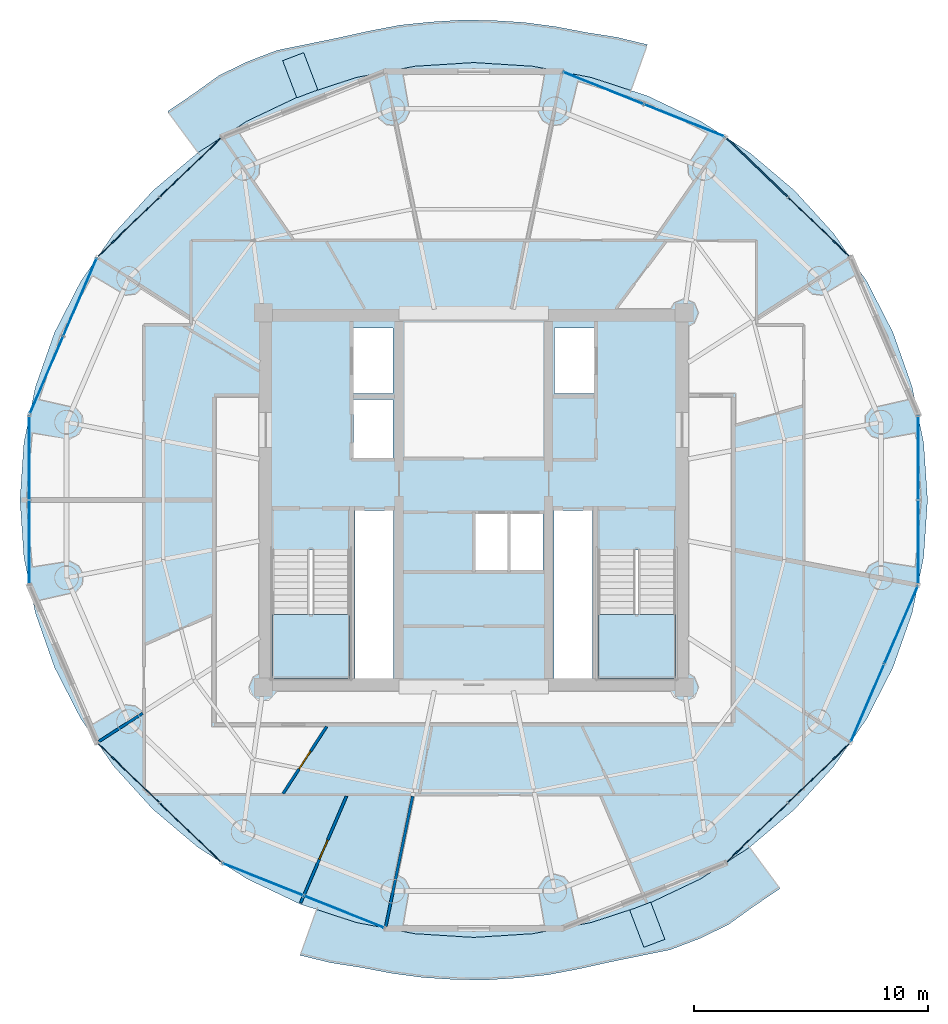
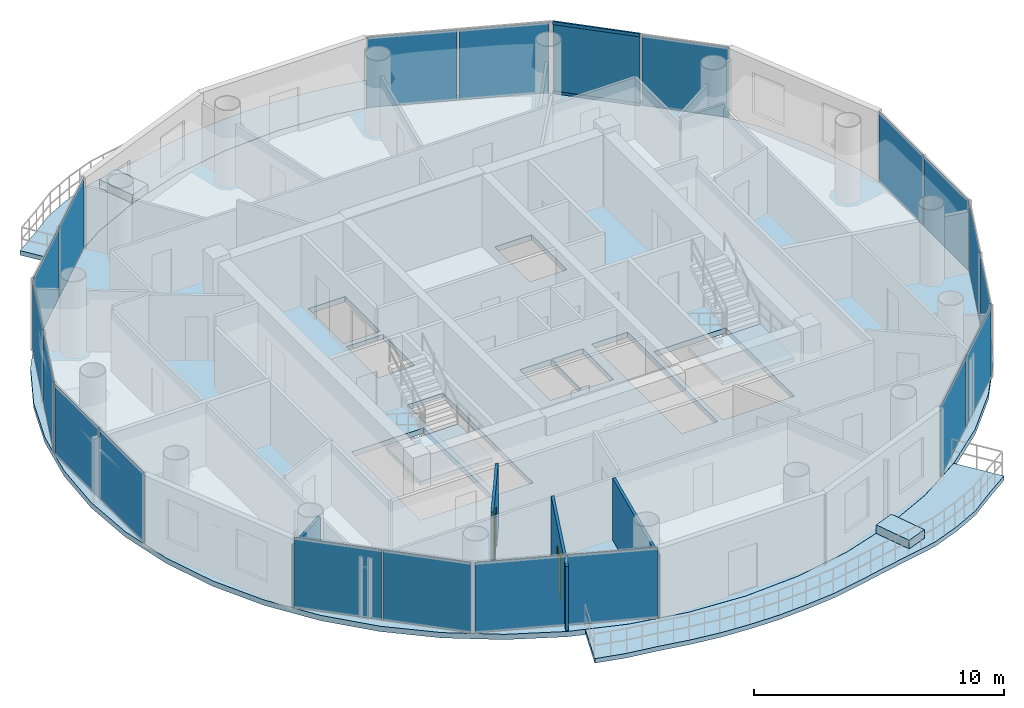
# One storey, part 16 of 24: 20 plates, 7 slabs, 4 walls, 2 doors, 2 members, 2 openings, 12 elements without a shape of their own.
"""IFC4 building model written with IfcOpenShell, lengths in metres."""

import ifcopenshell
import ifcopenshell.guid

model = None  # the IFC model being written
_history = None  # IfcOwnerHistory: only IFC2X3 demands one
_inside = {}  # id of a spatial element -> (the spatial element, [elements in it])
_under = {}  # id of a project, library or spatial element -> (it, [spatial elements below it])
_declared = {}  # id of a project -> (the project, [libraries it declares])
_typed = {}  # id of a type object -> (the type object, [elements of that type])
_made_of = {}  # id of a material, layer set ... -> (it, [elements and type objects made of it])


def new_model(schema):
    """Start an empty IFC model of exactly this schema.

    Asked for "IFC4X3", IfcOpenShell would pick the latest addendum, in which some entities
    have other attributes; the version numbers below select the first issue.
    IFC2X3 requires an IfcOwnerHistory on every rooted entity: one is made here for all.
    """
    global model, _history
    if schema == "IFC4X3":
        model = ifcopenshell.file(schema_version=(4, 3, 0, 0))
    else:
        model = ifcopenshell.file(schema=schema)
    _inside.clear()
    _under.clear()
    _declared.clear()
    _typed.clear()
    _made_of.clear()
    _history = None
    if model.schema == "IFC2X3":
        org = make("IfcOrganization", Name="unknown")
        user = make(
            "IfcPersonAndOrganization",
            ThePerson=make("IfcPerson", FamilyName="unknown"),
            TheOrganization=org,
        )
        app = make(
            "IfcApplication",
            ApplicationDeveloper=org,
            Version="unknown",
            ApplicationFullName="unknown",
            ApplicationIdentifier="unknown",
        )
        _history = make(
            "IfcOwnerHistory",
            OwningUser=user,
            OwningApplication=app,
            ChangeAction="ADDED",
            CreationDate=0,
        )
    return model


def make(cls, **values):
    """One entity of the class cls with the attributes given. An attribute that is None is left unset."""
    return model.create_entity(
        cls, **{name: value for name, value in values.items() if value is not None}
    )


def rooted(cls, **values):
    """An entity with a GlobalId (a new one), such as an element, a storey or a relation."""
    return make(cls, GlobalId=ifcopenshell.guid.new(), OwnerHistory=_history, **values)


def si_unit(unit_type, name, prefix=None):
    """IfcSIUnit, for example si_unit("LENGTHUNIT", "METRE", prefix="MILLI")."""
    return make("IfcSIUnit", UnitType=unit_type, Prefix=prefix, Name=name)


def assignment(units):
    """IfcUnitAssignment: the units of a project."""
    return None if units is None else make("IfcUnitAssignment", Units=units)


def point(xyz):
    """IfcCartesianPoint."""
    return None if xyz is None else make("IfcCartesianPoint", Coordinates=xyz)


def direction(xyz):
    """IfcDirection."""
    return None if xyz is None else make("IfcDirection", DirectionRatios=xyz)


def frame(location, z_axis=None, x_axis=None):
    """IfcAxis2Placement3D, a coordinate frame: its origin and axes. An axis left out is left unset."""
    return make(
        "IfcAxis2Placement3D",
        Location=point(location),
        Axis=direction(z_axis),
        RefDirection=direction(x_axis),
    )


def frame_2d(location, x_axis=None):
    """IfcAxis2Placement2D, a coordinate frame in the plane: its origin and x axis."""
    return make(
        "IfcAxis2Placement2D", Location=point(location), RefDirection=direction(x_axis)
    )


def origin():
    """The frame at (0, 0, 0) with its axes left unset."""
    return frame((0.0, 0.0, 0.0))


def origin_2d():
    """The frame at (0, 0) in the plane with its x axis left unset."""
    return frame_2d((0.0, 0.0))


def place(relative_to, where):
    """IfcLocalPlacement: puts the frame where relative to a parent placement (None: the world)."""
    return make(
        "IfcLocalPlacement", PlacementRelTo=relative_to, RelativePlacement=where
    )


def context(
    kind, dimensions, precision=None, world=None, true_north=None, identifier=None
):
    """IfcGeometricRepresentationContext, for example the 3D "Model" context."""
    return make(
        "IfcGeometricRepresentationContext",
        ContextIdentifier=identifier,
        ContextType=kind,
        CoordinateSpaceDimension=dimensions,
        Precision=precision,
        WorldCoordinateSystem=world,
        TrueNorth=true_north,
    )


def subcontext(parent, identifier, kind, view, scale=None):
    """IfcGeometricRepresentationSubContext, for example "Body" below "Model"."""
    return make(
        "IfcGeometricRepresentationSubContext",
        ContextIdentifier=identifier,
        ContextType=kind,
        ParentContext=parent,
        TargetScale=scale,
        TargetView=view,
    )


def project(units=None, contexts=None):
    """IfcProject with its units and contexts."""
    return rooted(
        "IfcProject",
        Name="project",
        RepresentationContexts=contexts,
        UnitsInContext=assignment(units),
    )


def spatial(cls, under=None, at=None, **own):
    """A site, building, storey or space (cls), placed at a placement, below another one or the project."""
    s = rooted(cls, ObjectPlacement=at, **own)
    if under is not None:
        _under.setdefault(under.id(), (under, []))[1].append(s)
    return s


def polyline(points):
    """IfcPolyline through the points."""
    return make("IfcPolyline", Points=[point(p) for p in points])


def profile(cls, at=None, kind="AREA", **sizes):
    """A parametric profile (cls). Its sizes go by their IFC names, for example OverallWidth=200.0."""
    return make(cls, ProfileType=kind, Position=at, **sizes)


def rectangle(**sizes):
    """IfcRectangleProfileDef."""
    return profile("IfcRectangleProfileDef", **sizes)


def hollow_rectangle(**sizes):
    """IfcRectangleHollowProfileDef."""
    return profile("IfcRectangleHollowProfileDef", **sizes)


def outline(outer, holes=None, kind="AREA"):
    """IfcArbitraryClosedProfileDef: a profile drawn as a closed curve; with holes, ...WithVoids."""
    if holes is None:
        return make("IfcArbitraryClosedProfileDef", ProfileType=kind, OuterCurve=outer)
    return make(
        "IfcArbitraryProfileDefWithVoids",
        ProfileType=kind,
        OuterCurve=outer,
        InnerCurves=holes,
    )


def extrude(swept, where, along, depth):
    """IfcExtrudedAreaSolid: the profile swept, set in the frame where, extruded along a direction by depth."""
    return make(
        "IfcExtrudedAreaSolid",
        SweptArea=swept,
        Position=where,
        ExtrudedDirection=direction(along),
        Depth=depth,
    )


def shape(context_of_items, identifier, shape_type, items):
    """IfcShapeRepresentation: the items that make up one representation, for example the "Body"."""
    return make(
        "IfcShapeRepresentation",
        ContextOfItems=context_of_items,
        RepresentationIdentifier=identifier,
        RepresentationType=shape_type,
        Items=items,
    )


def source(mapping_origin, context_of_items, identifier, shape_type, items):
    """IfcRepresentationMap: a shape defined once, which mapped items show again and again."""
    return make(
        "IfcRepresentationMap",
        MappingOrigin=mapping_origin,
        MappedRepresentation=shape(context_of_items, identifier, shape_type, items),
    )


def transform(
    local_origin,
    x_axis=None,
    y_axis=None,
    z_axis=None,
    scale=None,
    scale2=None,
    scale3=None,
    uniform=True,
):
    """IfcCartesianTransformationOperator3D, or its non-uniform kind. x_axis, y_axis, z_axis: its Axis1, 2, 3."""
    if uniform:
        return make(
            "IfcCartesianTransformationOperator3D",
            Axis1=direction(x_axis),
            Axis2=direction(y_axis),
            LocalOrigin=point(local_origin),
            Scale=scale,
            Axis3=direction(z_axis),
        )
    return make(
        "IfcCartesianTransformationOperator3DnonUniform",
        Axis1=direction(x_axis),
        Axis2=direction(y_axis),
        LocalOrigin=point(local_origin),
        Scale=scale,
        Axis3=direction(z_axis),
        Scale2=scale2,
        Scale3=scale3,
    )


def mapped(mapping_source, mapping_target):
    """IfcMappedItem: shows the shape of a source again, moved by a transform."""
    return make(
        "IfcMappedItem", MappingSource=mapping_source, MappingTarget=mapping_target
    )


def material(Name=None, Category=None):
    """IfcMaterial."""
    return make("IfcMaterial", Name=Name, Category=Category)


def layer(
    of_material, thickness, ventilated=None, Name=None, Category=None, Priority=None
):
    """IfcMaterialLayer: one layer of a wall or slab, of a material (None: an air gap)."""
    return make(
        "IfcMaterialLayer",
        Material=of_material,
        LayerThickness=thickness,
        IsVentilated=ventilated,
        Name=Name,
        Category=Category,
        Priority=Priority,
    )


def layer_set(layers, Name=None):
    """IfcMaterialLayerSet."""
    return make("IfcMaterialLayerSet", MaterialLayers=layers, LayerSetName=Name)


def material_profile(
    of_material, cross_section, Name=None, Category=None, Priority=None
):
    """IfcMaterialProfile: a cross section and its material."""
    return make(
        "IfcMaterialProfile",
        Name=Name,
        Material=of_material,
        Profile=cross_section,
        Priority=Priority,
        Category=Category,
    )


def profile_set(profiles, Name=None, composite=None):
    """IfcMaterialProfileSet."""
    return make(
        "IfcMaterialProfileSet",
        Name=Name,
        MaterialProfiles=profiles,
        CompositeProfile=composite,
    )


def made_of(thing, what):
    """Note that an element or type object is made of a material, layer set ...; save() writes the relation."""
    if what is not None:
        _made_of.setdefault(what.id(), (what, []))[1].append(thing)
    return thing


def type_object(cls, material=None, **own):
    """A type object (cls), such as IfcWallType, which elements share."""
    return made_of(rooted(cls, **own), material)


def element(
    cls,
    number,
    at=None,
    inside=None,
    cuts=None,
    type_object=None,
    material=None,
    context=None,
    identifier="Body",
    shape_type=None,
    held_by="IfcProductDefinitionShape",
    body=None,
    shapes=None,
    **own,
):
    """One element of the class cls, such as IfcWall. Its Tag is "e" and its number.

    at: its placement. inside: the storey or other place that contains it. cuts: it is an
    opening in that element (IfcRelVoidsElement). A single representation is given by context,
    identifier, shape_type and body (its items); several are given by shapes. held_by: the class
    of the entity that holds the representations. save() writes the other relations.
    """
    e = rooted(cls, Tag="e%d" % number, ObjectPlacement=at, **own)
    if body is not None:
        shapes = [shape(context, identifier, shape_type, body)]
    if shapes is not None:
        e.Representation = make(held_by, Representations=shapes)
    if inside is not None:
        _inside.setdefault(inside.id(), (inside, []))[1].append(e)
    if cuts is not None:
        rooted(
            "IfcRelVoidsElement", RelatingBuildingElement=cuts, RelatedOpeningElement=e
        )
    if type_object is not None:
        _typed.setdefault(type_object.id(), (type_object, []))[1].append(e)
    return made_of(e, material)


def fill(opening, filler):
    """IfcRelFillsElement: the door or window that sits in an opening."""
    return rooted(
        "IfcRelFillsElement",
        RelatingOpeningElement=opening,
        RelatedBuildingElement=filler,
    )


def aggregate(whole, parts):
    """IfcRelAggregates: a whole, such as a stair, and the parts it consists of."""
    return rooted("IfcRelAggregates", RelatingObject=whole, RelatedObjects=parts)


def save(model, path):
    """Write the relations noted so far, then the file.

    IfcRelAggregates (storeys below a building ...), IfcRelContainedInSpatialStructure (elements
    in a storey), IfcRelDefinesByType, IfcRelAssociatesMaterial and IfcRelDeclares: one each for
    every whole, place, type object, material and project.
    """
    for whole, parts in _under.values():
        aggregate(whole, parts)
    for where, things in _inside.values():
        rooted(
            "IfcRelContainedInSpatialStructure",
            RelatedElements=things,
            RelatingStructure=where,
        )
    for kind, things in _typed.values():
        rooted("IfcRelDefinesByType", RelatedObjects=things, RelatingType=kind)
    for what, things in _made_of.values():
        rooted("IfcRelAssociatesMaterial", RelatedObjects=things, RelatingMaterial=what)
    for by, libraries in _declared.values():
        rooted("IfcRelDeclares", RelatingContext=by, RelatedDefinitions=libraries)
    model.write(path)


model = new_model("IFC4")

# Units and contexts
model_context = context("Model", 3, precision=1e-05, world=origin(), true_north=direction((-0.2419218956, 0.970295726276)))
body_context = subcontext(model_context, "Body", "Model", "MODEL_VIEW")
ifc_project = project(units=[si_unit("LENGTHUNIT", "METRE"), si_unit("AREAUNIT", "SQUARE_METRE"), si_unit("VOLUMEUNIT", "CUBIC_METRE"), si_unit("PLANEANGLEUNIT", "RADIAN"), si_unit("MASSUNIT", "GRAM", prefix="KILO")], contexts=[model_context])

# Site, building, storey
site_placement = place(None, origin())
site = spatial("IfcSite", under=ifc_project, at=site_placement, CompositionType="ELEMENT")
building_placement = place(site_placement, origin())
building = spatial("IfcBuilding", under=site, at=building_placement, Name="Cobrevalo Terracotta Tower", CompositionType="ELEMENT")
storey_placement = place(building_placement, frame((0.0, 0.0, 293.199951171875)))
storey = spatial("IfcBuildingStorey", under=building, at=storey_placement, Name="L77", CompositionType="ELEMENT", Elevation=293.199951171875)

# Curtain wall, members
ifc_material_1 = material(Name="Anodized aluminium", Category="aluminium")
curtain_wall_type = type_object("IfcCurtainWallType", Name="Upper-tower triple-glazed penthouse curtain wall CW-U3", PredefinedType="NOTDEFINED", material=ifc_material_1)
curtain_wall_1_placement = place(storey_placement, origin())
curtain_wall_1 = element("IfcCurtainWall", 1, at=curtain_wall_1_placement, inside=storey, type_object=curtain_wall_type, Name="L77 curtain wall CW-L77-S02", PredefinedType="NOTDEFINED")
ifc_material_profile = material_profile(ifc_material_1, hollow_rectangle(XDim=0.074951171875, YDim=0.14990234375, WallThickness=0.00439453125, at=origin_2d()), Name="CWT 75x150")
ifc_profile_set = profile_set([ifc_material_profile], Name="Anodized aluminium")
member_type = type_object("IfcMemberType", Name="Tower unitised aluminium transom 75x150", PredefinedType="USERDEFINED", material=ifc_profile_set)
shared_shape_1 = source(origin(), body_context, "Body", "SweptSolid", [
    extrude(hollow_rectangle(XDim=0.074951171875, YDim=0.14990234375, WallThickness=0.00439453125, at=origin_2d()), origin(), (0.0, 0.0, 1.0), 3.59130859375),
])
member_1_placement = place(storey_placement, frame((51.40478515625, 39.77587890625, 0.050048828125), z_axis=(-0.720005628362, 0.693968223427, 0.0), x_axis=(-0.693968223427, -0.720005628362, 0.0)))
member_1 = element("IfcMember", 2, at=member_1_placement, type_object=member_type, Name="CW-L77-S02 transom B02-T1", ObjectType="TRANSOM", PredefinedType="USERDEFINED", context=body_context, shape_type="MappedRepresentation", body=[
    mapped(shared_shape_1, transform((0.0, 0.0, 0.0), scale=1.0)),
])
member_2_placement = place(storey_placement, frame((51.40478515625, 39.77587890625, 3.43994140625), z_axis=(-0.720005628362, 0.693968223427, 0.0), x_axis=(-0.693968223427, -0.720005628362, 0.0)))
member_2 = element("IfcMember", 3, at=member_2_placement, type_object=member_type, Name="CW-L77-S02 transom B02-T2", ObjectType="TRANSOM", PredefinedType="USERDEFINED", context=body_context, shape_type="MappedRepresentation", body=[
    mapped(shared_shape_1, transform((0.0, 0.0, 0.0), scale=1.0)),
])

# Stair, slab
ifc_material_2 = material(Name="Concrete C50", Category="concrete")
stair_type = type_object("IfcStairType", Name="Core protected escape dogleg stair 1600", PredefinedType="HALF_TURN_STAIR", material=ifc_material_2)
stair_1_placement = place(storey_placement, origin())
stair_1 = element("IfcStair", 4, at=stair_1_placement, inside=storey, type_object=stair_type, Name="L77 Protected exit stair ST-1", PredefinedType="HALF_TURN_STAIR")
ifc_layer_1 = layer(ifc_material_2, 0.199951171875)
ifc_layer_set_1 = layer_set([ifc_layer_1], Name="Concrete C50")
slab_type_1 = type_object("IfcSlabType", Name="Reinforced Concrete Stair Landing 200", PredefinedType="LANDING", material=ifc_layer_set_1)
slab_1_placement = place(storey_placement, frame((0.0, 0.0, 1.675048828125)))
slab_1 = element("IfcSlab", 5, at=slab_1_placement, type_object=slab_type_1, Name="ST-1 landing 1", PredefinedType="LANDING", context=body_context, shape_type="SweptSolid", body=[
    extrude(outline(polyline([(29.375, 21.89990234375), (29.375, 19.175048828125), (32.695068359375, 19.175048828125), (32.695068359375, 21.89990234375), (29.375, 21.89990234375)])), origin(), (0.0, 0.0, 1.0), 0.199951171875),
])
aggregate(stair_1, [slab_1])

stair_2_placement = place(storey_placement, origin())
stair_2 = element("IfcStair", 6, at=stair_2_placement, inside=storey, type_object=stair_type, Name="L77 Protected exit stair ST-2", PredefinedType="HALF_TURN_STAIR")
slab_2_placement = place(storey_placement, frame((0.0, 0.0, 1.675048828125)))
slab_2 = element("IfcSlab", 7, at=slab_2_placement, type_object=slab_type_1, Name="ST-2 landing 1", PredefinedType="LANDING", context=body_context, shape_type="SweptSolid", body=[
    extrude(outline(polyline([(43.304931640625, 21.89990234375), (43.304931640625, 19.175048828125), (46.625, 19.175048828125), (46.625, 21.89990234375), (43.304931640625, 21.89990234375)])), origin(), (0.0, 0.0, 1.0), 0.199951171875),
])
aggregate(stair_2, [slab_2])

# Slabs
ifc_material_3 = material(Name="Concrete C45", Category="concrete")
ifc_layer_2 = layer(ifc_material_3, 0.219970703125)
ifc_layer_set_2 = layer_set([ifc_layer_2], Name="Concrete C45")
slab_type_2 = type_object("IfcSlabType", Name="Spiralling cantilevered balcony lobe slab 220 mm", PredefinedType="FLOOR", material=ifc_layer_set_2)
slab_3_placement = place(storey_placement, frame((0.0, 0.0, -0.219970703125)))
element("IfcSlab", 8, at=slab_3_placement, inside=storey, type_object=slab_type_2, Name="L77 spiralling arc balcony slab lobe 1", PredefinedType="FLOOR", context=body_context, shape_type="SweptSolid", body=[
    extrude(outline(polyline([(45.423583984375, 46.267578125), (44.11669921875, 46.58349609375), (42.794189453125, 46.791259765625), (41.4853515625, 47.0400390625), (40.166748046875, 47.215576171875), (38.836181640625, 47.30029296875), (37.50537109375, 47.32080078125), (36.174560546875, 47.238037109375), (34.850341796875, 47.103515625), (33.541748046875, 46.854248046875), (32.243408203125, 46.566162109375), (30.93017578125, 46.298095703125), (29.597900390625, 46.027099609375), (28.3349609375, 45.545166015625), (27.117431640625, 44.95458984375), (26.020751953125, 44.164794921875), (24.9072265625, 43.41162109375), (26.20751953125, 41.6494140625), (28.299072265625, 42.996337890625), (30.5751953125, 44.078369140625), (32.978271484375, 44.86474609375), (35.467529296875, 45.342041015625), (38.0, 45.501953125), (40.532470703125, 45.342041015625), (43.021728515625, 44.86474609375), (44.72412109375, 44.3076171875), (45.423583984375, 46.267578125)])), origin(), (0.0, 0.0, 1.0), 0.219970703125),
])
slab_4_placement = place(storey_placement, frame((0.0, 0.0, -0.219970703125)))
element("IfcSlab", 9, at=slab_4_placement, inside=storey, type_object=slab_type_2, Name="L77 spiralling arc balcony slab lobe 2", PredefinedType="FLOOR", context=body_context, shape_type="SweptSolid", body=[
    extrude(outline(polyline([(30.576416015625, 7.332275390625), (31.88330078125, 7.016357421875), (33.205810546875, 6.808837890625), (34.5146484375, 6.559814453125), (35.833251953125, 6.38427734375), (37.163818359375, 6.2998046875), (38.49462890625, 6.279052734375), (39.825439453125, 6.362060546875), (41.149658203125, 6.49658203125), (42.458251953125, 6.745849609375), (43.756591796875, 7.03369140625), (45.06982421875, 7.3017578125), (46.402099609375, 7.57275390625), (47.6650390625, 8.0546875), (48.882568359375, 8.645263671875), (49.979248046875, 9.43505859375), (51.0927734375, 10.1884765625), (49.79248046875, 11.95068359375), (47.700927734375, 10.603515625), (45.4248046875, 9.521484375), (43.021728515625, 8.7353515625), (40.532470703125, 8.258056640625), (38.0, 8.097900390625), (35.467529296875, 8.258056640625), (32.978271484375, 8.7353515625), (31.27587890625, 9.292236328125), (30.576416015625, 7.332275390625)])), origin(), (0.0, 0.0, 1.0), 0.219970703125),
])
ifc_material_4 = material(Name="Precast concrete C45", Category="concrete")
ifc_layer_3 = layer(ifc_material_4, 0.419921875)
ifc_layer_set_3 = layer_set([ifc_layer_3], Name="Precast concrete C45")
slab_type_3 = type_object("IfcSlabType", Name="Structural tree planter trough base 420 mm", PredefinedType="USERDEFINED", material=ifc_layer_set_3)
slab_5_placement = place(storey_placement, origin())
element("IfcSlab", 10, at=slab_5_placement, inside=storey, type_object=slab_type_3, Name="L77 structural tree planter trough 1", ObjectType="PLANTER", PredefinedType="USERDEFINED", context=body_context, shape_type="SweptSolid", body=[
    extrude(outline(polyline([(31.33251953125, 44.335205078125), (30.7275390625, 45.924072265625), (29.830322265625, 45.582275390625), (30.435302734375, 43.99365234375), (31.33251953125, 44.335205078125)])), origin(), (0.0, 0.0, 1.0), 0.420166015625),
])
slab_6_placement = place(storey_placement, origin())
element("IfcSlab", 11, at=slab_6_placement, inside=storey, type_object=slab_type_3, Name="L77 structural tree planter trough 2", ObjectType="PLANTER", PredefinedType="USERDEFINED", context=body_context, shape_type="SweptSolid", body=[
    extrude(outline(polyline([(44.66748046875, 9.264892578125), (45.2724609375, 7.676025390625), (46.169677734375, 8.017578125), (45.564697265625, 9.6064453125), (44.66748046875, 9.264892578125)])), origin(), (0.0, 0.0, 1.0), 0.420166015625),
])
ifc_layer_4 = layer(ifc_material_3, 0.260009765625)
ifc_layer_set_4 = layer_set([ifc_layer_4], Name="Concrete C45")
slab_type_4 = type_object("IfcSlabType", Name="Zone Z5 elliptical floor plate 260 mm", PredefinedType="FLOOR", material=ifc_layer_set_4)
slab_7_placement = place(storey_placement, frame((0.0, 0.0, -0.260009765625)))
element("IfcSlab", 12, at=slab_7_placement, inside=storey, type_object=slab_type_4, Name="L77 indoor elliptical floor slab", PredefinedType="FLOOR", context=body_context, shape_type="SweptSolid", body=[
    extrude(outline(polyline([(57.234130859375, 24.359130859375), (56.739013671875, 21.9599609375), (55.92333984375, 19.643798828125), (54.80078125, 17.449951171875), (53.39111328125, 15.416259765625), (51.7177734375, 13.5771484375), (49.81005859375, 11.96435546875), (47.699951171875, 10.605224609375), (45.424072265625, 9.5234375), (43.02099609375, 8.7373046875), (40.5322265625, 8.260009765625), (38.0, 8.10009765625), (35.4677734375, 8.260009765625), (32.97900390625, 8.7373046875), (30.575927734375, 9.5234375), (28.300048828125, 10.605224609375), (26.18994140625, 11.96435546875), (24.2822265625, 13.5771484375), (22.60888671875, 15.416259765625), (21.19921875, 17.449951171875), (20.07666015625, 19.643798828125), (19.260986328125, 21.9599609375), (18.765869140625, 24.359130859375), (18.60009765625, 26.800048828125), (18.765869140625, 29.24072265625), (19.260986328125, 31.639892578125), (20.07666015625, 33.956298828125), (21.19921875, 36.14990234375), (22.60888671875, 38.183837890625), (24.2822265625, 40.02294921875), (26.18994140625, 41.6357421875), (28.300048828125, 42.99462890625), (30.575927734375, 44.07666015625), (32.97900390625, 44.86279296875), (35.4677734375, 45.340087890625), (38.0, 45.5), (40.5322265625, 45.340087890625), (43.02099609375, 44.86279296875), (45.424072265625, 44.07666015625), (47.699951171875, 42.99462890625), (49.81005859375, 41.6357421875), (51.7177734375, 40.02294921875), (53.39111328125, 38.183837890625), (54.80078125, 36.14990234375), (55.92333984375, 33.956298828125), (56.739013671875, 31.639892578125), (57.234130859375, 29.24072265625), (57.39990234375, 26.800048828125), (57.234130859375, 24.359130859375)]), holes=[polyline([(32.695068359375, 19.175048828125), (32.695068359375, 24.659912109375), (29.375, 24.659912109375), (29.375, 19.175048828125), (32.695068359375, 19.175048828125)]), polyline([(46.625, 19.175048828125), (46.625, 24.659912109375), (43.304931640625, 24.659912109375), (43.304931640625, 19.175048828125), (46.625, 19.175048828125)]), polyline([(34.574951171875, 26.360107421875), (32.919921875, 26.360107421875), (32.919921875, 19.175048828125), (34.574951171875, 19.175048828125), (34.574951171875, 26.360107421875)]), polyline([(43.080078125, 26.360107421875), (41.425048828125, 26.360107421875), (41.425048828125, 19.175048828125), (43.080078125, 19.175048828125), (43.080078125, 26.360107421875)]), polyline([(39.469970703125, 26.25), (38.0400390625, 26.25), (38.0400390625, 23.800048828125), (39.469970703125, 23.800048828125), (39.469970703125, 26.25)]), polyline([(40.949951171875, 26.25), (39.52001953125, 26.25), (39.52001953125, 23.800048828125), (40.949951171875, 23.800048828125), (40.949951171875, 26.25)]), polyline([(34.550048828125, 31.10009765625), (32.85009765625, 31.10009765625), (32.85009765625, 28.60009765625), (34.550048828125, 28.60009765625), (34.550048828125, 31.10009765625)]), polyline([(34.550048828125, 31.35009765625), (34.550048828125, 34.14990234375), (32.85009765625, 34.14990234375), (32.85009765625, 31.35009765625), (34.550048828125, 31.35009765625)]), polyline([(43.14990234375, 31.35009765625), (43.14990234375, 34.14990234375), (41.449951171875, 34.14990234375), (41.449951171875, 31.35009765625), (43.14990234375, 31.35009765625)])]), origin(), (0.0, 0.0, 1.0), 0.260009765625),
])

# Plate
ifc_material_5 = material(Name="Solar-control low-E double glazing", Category="glass")
ifc_layer_5 = layer(ifc_material_5, 0.028076171875)
ifc_layer_set_5 = layer_set([ifc_layer_5], Name="Solar-control low-E double glazing")
plate_type = type_object("IfcPlateType", Name="Tower solar-control low-E vision glass panel 28 mm", PredefinedType="CURTAIN_PANEL", material=ifc_layer_set_5)
shared_shape_2 = source(origin(), body_context, "Body", "SweptSolid", [
    extrude(rectangle(XDim=3.59130859375, YDim=0.035888671875, at=origin_2d()), origin(), (0.0, 0.0, 1.0), 3.409912109375),
])
plate_1_placement = place(storey_placement, frame((52.755126953125, 38.47412109375, 0.0400390625), z_axis=(0.0, 0.0, 1.0), x_axis=(-0.719996603293, 0.693977586992, 0.0)))
plate_1 = element("IfcPlate", 13, at=plate_1_placement, type_object=plate_type, Name="CW-L77-S02 glazing panel B01", PredefinedType="CURTAIN_PANEL", context=body_context, shape_type="MappedRepresentation", body=[
    mapped(shared_shape_2, transform((0.0, 0.0, 0.0), scale=1.0)),
])

plate_2_placement = place(storey_placement, frame((50.11181640625, 41.02197265625, 0.0400390625), z_axis=(0.0, 0.0, 1.0), x_axis=(-0.719996603293, 0.693977586992, 0.0)))
plate_2 = element("IfcPlate", 14, at=plate_2_placement, type_object=plate_type, Name="CW-L77-S02 glazing panel B02", PredefinedType="CURTAIN_PANEL", context=body_context, shape_type="MappedRepresentation", body=[
    mapped(shared_shape_2, transform((0.0, 0.0, 0.0), scale=1.0)),
])

aggregate(curtain_wall_1, [plate_1, member_1, member_2, plate_2])

# Curtain wall, plates
curtain_wall_2_placement = place(storey_placement, origin())
curtain_wall_2 = element("IfcCurtainWall", 15, at=curtain_wall_2_placement, inside=storey, type_object=curtain_wall_type, Name="L77 curtain wall CW-L77-S06", PredefinedType="NOTDEFINED")
plate_3_placement = place(storey_placement, frame((25.88818359375, 41.02197265625, 0.0400390625), z_axis=(0.0, 0.0, 1.0), x_axis=(-0.719996603293, -0.693977586992, 0.0)))
plate_3 = element("IfcPlate", 16, at=plate_3_placement, type_object=plate_type, Name="CW-L77-S06 glazing panel B01", PredefinedType="CURTAIN_PANEL", context=body_context, shape_type="MappedRepresentation", body=[
    mapped(shared_shape_2, transform((0.0, 0.0, 0.0), scale=1.0)),
])
plate_4_placement = place(storey_placement, frame((23.244873046875, 38.47412109375, 0.0400390625), z_axis=(0.0, 0.0, 1.0), x_axis=(-0.719996603293, -0.693977586992, 0.0)))
plate_4 = element("IfcPlate", 17, at=plate_4_placement, type_object=plate_type, Name="CW-L77-S06 glazing panel B02", PredefinedType="CURTAIN_PANEL", context=body_context, shape_type="MappedRepresentation", body=[
    mapped(shared_shape_2, transform((0.0, 0.0, 0.0), scale=1.0)),
])
aggregate(curtain_wall_2, [plate_3, plate_4])

curtain_wall_3_placement = place(storey_placement, origin())
curtain_wall_3 = element("IfcCurtainWall", 18, at=curtain_wall_3_placement, inside=storey, type_object=curtain_wall_type, Name="L77 curtain wall CW-L77-S10", PredefinedType="NOTDEFINED")
plate_5_placement = place(storey_placement, frame((23.244873046875, 15.1259765625, 0.0400390625), z_axis=(0.0, 0.0, 1.0), x_axis=(0.719996603293, -0.693977586992, 0.0)))
plate_5 = element("IfcPlate", 19, at=plate_5_placement, type_object=plate_type, Name="CW-L77-S10 glazing panel B01", PredefinedType="CURTAIN_PANEL", context=body_context, shape_type="MappedRepresentation", body=[
    mapped(shared_shape_2, transform((0.0, 0.0, 0.0), scale=1.0)),
])
plate_6_placement = place(storey_placement, frame((25.88818359375, 12.578125, 0.0400390625), z_axis=(0.0, 0.0, 1.0), x_axis=(0.719996603293, -0.693977586992, 0.0)))
plate_6 = element("IfcPlate", 20, at=plate_6_placement, type_object=plate_type, Name="CW-L77-S10 glazing panel B02", PredefinedType="CURTAIN_PANEL", context=body_context, shape_type="MappedRepresentation", body=[
    mapped(shared_shape_2, transform((0.0, 0.0, 0.0), scale=1.0)),
])
aggregate(curtain_wall_3, [plate_5, plate_6])

curtain_wall_4_placement = place(storey_placement, origin())
curtain_wall_4 = element("IfcCurtainWall", 21, at=curtain_wall_4_placement, inside=storey, type_object=curtain_wall_type, Name="L77 curtain wall CW-L77-S14", PredefinedType="NOTDEFINED")
plate_7_placement = place(storey_placement, frame((50.11181640625, 12.578125, 0.0400390625), z_axis=(0.0, 0.0, 1.0), x_axis=(0.719996603293, 0.693977586992, 0.0)))
plate_7 = element("IfcPlate", 22, at=plate_7_placement, type_object=plate_type, Name="CW-L77-S14 glazing panel B01", PredefinedType="CURTAIN_PANEL", context=body_context, shape_type="MappedRepresentation", body=[
    mapped(shared_shape_2, transform((0.0, 0.0, 0.0), scale=1.0)),
])
plate_8_placement = place(storey_placement, frame((52.755126953125, 15.1259765625, 0.0400390625), z_axis=(0.0, 0.0, 1.0), x_axis=(0.719996603293, 0.693977586992, 0.0)))
plate_8 = element("IfcPlate", 23, at=plate_8_placement, type_object=plate_type, Name="CW-L77-S14 glazing panel B02", PredefinedType="CURTAIN_PANEL", context=body_context, shape_type="MappedRepresentation", body=[
    mapped(shared_shape_2, transform((0.0, 0.0, 0.0), scale=1.0)),
])
aggregate(curtain_wall_4, [plate_7, plate_8])

curtain_wall_5_placement = place(storey_placement, origin())
curtain_wall_5 = element("IfcCurtainWall", 24, at=curtain_wall_5_placement, inside=storey, type_object=curtain_wall_type, Name="L77 curtain wall CW-L77-S03", PredefinedType="NOTDEFINED")
shared_shape_3 = source(origin(), body_context, "Body", "SweptSolid", [
    extrude(rectangle(XDim=3.63916015625, YDim=0.035888671875, at=origin_2d()), origin(), (0.0, 0.0, 1.0), 3.409912109375),
])
plate_9_placement = place(storey_placement, frame((46.997314453125, 43.02783203125, 0.0400390625), z_axis=(0.0, 0.0, 1.0), x_axis=(-0.92871833374, 0.370785998353, 0.0)))
plate_9 = element("IfcPlate", 25, at=plate_9_placement, type_object=plate_type, Name="CW-L77-S03 glazing panel B01", PredefinedType="CURTAIN_PANEL", context=body_context, shape_type="MappedRepresentation", body=[
    mapped(shared_shape_3, transform((0.0, 0.0, 0.0), scale=1.0)),
])
plate_10_placement = place(storey_placement, frame((43.543212890625, 44.406982421875, 0.0400390625), z_axis=(0.0, 0.0, 1.0), x_axis=(-0.92871833374, 0.370785998353, 0.0)))
plate_10 = element("IfcPlate", 26, at=plate_10_placement, type_object=plate_type, Name="CW-L77-S03 glazing panel B02", PredefinedType="CURTAIN_PANEL", context=body_context, shape_type="MappedRepresentation", body=[
    mapped(shared_shape_3, transform((0.0, 0.0, 0.0), scale=1.0)),
])
aggregate(curtain_wall_5, [plate_9, plate_10])

curtain_wall_6_placement = place(storey_placement, origin())
curtain_wall_6 = element("IfcCurtainWall", 27, at=curtain_wall_6_placement, inside=storey, type_object=curtain_wall_type, Name="L77 curtain wall CW-L77-S11", PredefinedType="NOTDEFINED")
plate_11_placement = place(storey_placement, frame((29.002685546875, 10.572021484375, 0.0400390625), z_axis=(0.0, 0.0, 1.0), x_axis=(0.92871833374, -0.370785998353, 0.0)))
plate_11 = element("IfcPlate", 28, at=plate_11_placement, type_object=plate_type, Name="CW-L77-S11 glazing panel B01", PredefinedType="CURTAIN_PANEL", context=body_context, shape_type="MappedRepresentation", body=[
    mapped(shared_shape_3, transform((0.0, 0.0, 0.0), scale=1.0)),
])
plate_12_placement = place(storey_placement, frame((32.456787109375, 9.193115234375, 0.0400390625), z_axis=(0.0, 0.0, 1.0), x_axis=(0.92871833374, -0.370785998353, 0.0)))
plate_12 = element("IfcPlate", 29, at=plate_12_placement, type_object=plate_type, Name="CW-L77-S11 glazing panel B02", PredefinedType="CURTAIN_PANEL", context=body_context, shape_type="MappedRepresentation", body=[
    mapped(shared_shape_3, transform((0.0, 0.0, 0.0), scale=1.0)),
])
aggregate(curtain_wall_6, [plate_11, plate_12])

curtain_wall_7_placement = place(storey_placement, origin())
curtain_wall_7 = element("IfcCurtainWall", 30, at=curtain_wall_7_placement, inside=storey, type_object=curtain_wall_type, Name="L77 curtain wall CW-L77-S07", PredefinedType="NOTDEFINED")
shared_shape_4 = source(origin(), body_context, "Body", "SweptSolid", [
    extrude(rectangle(XDim=3.542724609375, YDim=0.035888671875, at=origin_2d()), origin(), (0.0, 0.0, 1.0), 3.409912109375),
])
plate_13_placement = place(storey_placement, frame((21.16357421875, 35.4716796875, 0.0400390625), z_axis=(0.0, 0.0, 1.0), x_axis=(-0.394828845134, -0.918754691444, 0.0)))
plate_13 = element("IfcPlate", 31, at=plate_13_placement, type_object=plate_type, Name="CW-L77-S07 glazing panel B01", PredefinedType="CURTAIN_PANEL", context=body_context, shape_type="MappedRepresentation", body=[
    mapped(shared_shape_4, transform((0.0, 0.0, 0.0), scale=1.0)),
])
plate_14_placement = place(storey_placement, frame((19.733154296875, 32.143310546875, 0.0400390625), z_axis=(0.0, 0.0, 1.0), x_axis=(-0.394828845134, -0.918754691444, 0.0)))
plate_14 = element("IfcPlate", 32, at=plate_14_placement, type_object=plate_type, Name="CW-L77-S07 glazing panel B02", PredefinedType="CURTAIN_PANEL", context=body_context, shape_type="MappedRepresentation", body=[
    mapped(shared_shape_4, transform((0.0, 0.0, 0.0), scale=1.0)),
])
aggregate(curtain_wall_7, [plate_13, plate_14])

curtain_wall_8_placement = place(storey_placement, origin())
curtain_wall_8 = element("IfcCurtainWall", 33, at=curtain_wall_8_placement, inside=storey, type_object=curtain_wall_type, Name="L77 curtain wall CW-L77-S15", PredefinedType="NOTDEFINED")
plate_15_placement = place(storey_placement, frame((54.83642578125, 18.12841796875, 0.0400390625), z_axis=(0.0, 0.0, 1.0), x_axis=(0.394828845134, 0.918754691444, 0.0)))
plate_15 = element("IfcPlate", 34, at=plate_15_placement, type_object=plate_type, Name="CW-L77-S15 glazing panel B01", PredefinedType="CURTAIN_PANEL", context=body_context, shape_type="MappedRepresentation", body=[
    mapped(shared_shape_4, transform((0.0, 0.0, 0.0), scale=1.0)),
])
plate_16_placement = place(storey_placement, frame((56.266845703125, 21.456787109375, 0.0400390625), z_axis=(0.0, 0.0, 1.0), x_axis=(0.394828845134, 0.918754691444, 0.0)))
plate_16 = element("IfcPlate", 35, at=plate_16_placement, type_object=plate_type, Name="CW-L77-S15 glazing panel B02", PredefinedType="CURTAIN_PANEL", context=body_context, shape_type="MappedRepresentation", body=[
    mapped(shared_shape_4, transform((0.0, 0.0, 0.0), scale=1.0)),
])
aggregate(curtain_wall_8, [plate_15, plate_16])

curtain_wall_9_placement = place(storey_placement, origin())
curtain_wall_9 = element("IfcCurtainWall", 36, at=curtain_wall_9_placement, inside=storey, type_object=curtain_wall_type, Name="L77 curtain wall CW-L77-S08", PredefinedType="NOTDEFINED")
shared_shape_5 = source(origin(), body_context, "Body", "SweptSolid", [
    extrude(rectangle(XDim=3.522216796875, YDim=0.035888671875, at=origin_2d()), origin(), (0.0, 0.0, 1.0), 3.409912109375),
])
plate_17_placement = place(storey_placement, frame((19.002197265625, 28.60107421875, 0.0400390625), z_axis=(0.0, 0.0, 1.0), x_axis=(0.0, -1.0, 0.0)))
plate_17 = element("IfcPlate", 37, at=plate_17_placement, type_object=plate_type, Name="CW-L77-S08 glazing panel B01", PredefinedType="CURTAIN_PANEL", context=body_context, shape_type="MappedRepresentation", body=[
    mapped(shared_shape_5, transform((0.0, 0.0, 0.0), scale=1.0)),
])
plate_18_placement = place(storey_placement, frame((19.002197265625, 24.998779296875, 0.0400390625), z_axis=(0.0, 0.0, 1.0), x_axis=(0.0, -1.0, 0.0)))
plate_18 = element("IfcPlate", 38, at=plate_18_placement, type_object=plate_type, Name="CW-L77-S08 glazing panel B02", PredefinedType="CURTAIN_PANEL", context=body_context, shape_type="MappedRepresentation", body=[
    mapped(shared_shape_5, transform((0.0, 0.0, 0.0), scale=1.0)),
])
aggregate(curtain_wall_9, [plate_17, plate_18])

curtain_wall_10_placement = place(storey_placement, origin())
curtain_wall_10 = element("IfcCurtainWall", 39, at=curtain_wall_10_placement, inside=storey, type_object=curtain_wall_type, Name="L77 curtain wall CW-L77-S16", PredefinedType="NOTDEFINED")
plate_19_placement = place(storey_placement, frame((56.997802734375, 24.998779296875, 0.0400390625), z_axis=(0.0, 0.0, 1.0), x_axis=(0.0, 1.0, 0.0)))
plate_19 = element("IfcPlate", 40, at=plate_19_placement, type_object=plate_type, Name="CW-L77-S16 glazing panel B01", PredefinedType="CURTAIN_PANEL", context=body_context, shape_type="MappedRepresentation", body=[
    mapped(shared_shape_5, transform((0.0, 0.0, 0.0), scale=1.0)),
])
plate_20_placement = place(storey_placement, frame((56.997802734375, 28.60107421875, 0.0400390625), z_axis=(0.0, 0.0, 1.0), x_axis=(0.0, 1.0, 0.0)))
plate_20 = element("IfcPlate", 41, at=plate_20_placement, type_object=plate_type, Name="CW-L77-S16 glazing panel B02", PredefinedType="CURTAIN_PANEL", context=body_context, shape_type="MappedRepresentation", body=[
    mapped(shared_shape_5, transform((0.0, 0.0, 0.0), scale=1.0)),
])
aggregate(curtain_wall_10, [plate_19, plate_20])

# Wall
ifc_material_6 = material(Name="Gypsum board on steel stud", Category="steel")
ifc_layer_6 = layer(ifc_material_6, 0.1201171875)
ifc_layer_set_6 = layer_set([ifc_layer_6], Name="Gypsum board on steel stud")
wall_type = type_object("IfcWallType", Name="Residential internal acoustic stud partition 120 mm", PredefinedType="PARTITIONING", material=ifc_layer_set_6)
wall_1_placement = place(storey_placement, frame((23.8427734375, 17.681884765625, 0.0), z_axis=(0.0, 0.0, 1.0), x_axis=(-0.840690872836, -0.541515333421, 0.0)))
element("IfcWall", 42, at=wall_1_placement, inside=storey, type_object=wall_type, Name="L77 interior partition IW-L77-U2-ORAD1", PredefinedType="PARTITIONING", context=body_context, shape_type="SweptSolid", body=[
    extrude(rectangle(XDim=2.24658203125, YDim=0.1201171875, at=frame_2d((1.123291015625, 0.0))), origin(), (0.0, 0.0, 1.0), 3.01513671875),
])

# Wall, opening, door
wall_2_placement = place(storey_placement, frame((32.558837890625, 14.137939453125, 0.0), z_axis=(0.0, 0.0, 1.0), x_axis=(-0.394786072864, -0.918773071369, 0.0)))
wall_2 = element("IfcWall", 43, at=wall_2_placement, inside=storey, type_object=wall_type, Name="L77 interior partition IW-L77-U2-ORAD2", PredefinedType="PARTITIONING", context=body_context, shape_type="SweptSolid", body=[
    extrude(rectangle(XDim=4.962158203125, YDim=0.1201171875, at=frame_2d((2.48095703125, 0.0))), origin(), (0.0, 0.0, 1.0), 3.12109375),
])
opening_1_placement = place(wall_2_placement, frame((2.03125, 0.0, 0.0)))
opening_1 = element("IfcOpeningElement", 44, at=opening_1_placement, cuts=wall_2, Name="Opening ID-12", PredefinedType="OPENING", context=body_context, shape_type="SweptSolid", body=[
    extrude(rectangle(XDim=0.89990234375, YDim=2.14990234375, at=frame_2d((0.449951171875, 1.074951171875))), frame((0.0, 0.070068359375, 0.0), z_axis=(0.0, -1.0, 0.0), x_axis=(1.0, 0.0, 0.0)), (0.0, 0.0, 1.0), 0.14013671875),
])
ifc_material_7 = material(Name="Engineered timber", Category="wood")
door_type = type_object("IfcDoorType", Name="Internal residence & suite timber door 900x2150", OperationType="NOTDEFINED", PredefinedType="DOOR", material=ifc_material_7)
shared_shape_6 = source(origin(), body_context, "Body", "SweptSolid", [
    extrude(rectangle(XDim=0.89990234375, YDim=2.14990234375, at=frame_2d((0.449951171875, 1.074951171875))), frame((0.0, 0.02490234375, 0.0), z_axis=(0.0, -1.0, 0.0), x_axis=(1.0, 0.0, 0.0)), (0.0, 0.0, 1.0), 0.050048828125),
])
door_1_placement = place(opening_1_placement, origin())
door_1 = element("IfcDoor", 45, at=door_1_placement, inside=storey, type_object=door_type, Name="Flat L77B Principal Guest Bedroom internal door", OperationType="SINGLE_SWING_LEFT", OverallHeight=2.14990234375, OverallWidth=0.89990234375, PredefinedType="DOOR", context=body_context, shape_type="MappedRepresentation", body=[
    mapped(shared_shape_6, transform((0.0, 0.0, 0.0), scale=1.0)),
])
fill(opening_1, door_1)

# Wall
wall_3_placement = place(storey_placement, frame((35.38623046875, 14.13427734375, 0.0), z_axis=(0.0, 0.0, 1.0), x_axis=(-0.202089570669, -0.979367043262, 0.0)))
element("IfcWall", 46, at=wall_3_placement, inside=storey, type_object=wall_type, Name="L77 interior partition IW-L77-U2-ORAD3", PredefinedType="PARTITIONING", context=body_context, shape_type="SweptSolid", body=[
    extrude(rectangle(XDim=5.69482421875, YDim=0.1201171875, at=frame_2d((2.847412109375, 0.0))), origin(), (0.0, 0.0, 1.0), 3.01513671875),
])

# Wall, opening, door
wall_4_placement = place(storey_placement, frame((31.706298828125, 17.114990234375, 0.0), z_axis=(0.0, 0.0, 1.0), x_axis=(-0.544910571015, -0.838494167896, 0.0)))
wall_4 = element("IfcWall", 47, at=wall_4_placement, inside=storey, type_object=wall_type, Name="L77 interior partition IW-L77-U2-IRAD2", PredefinedType="PARTITIONING", context=body_context, shape_type="SweptSolid", body=[
    extrude(rectangle(XDim=3.42041015625, YDim=0.1201171875, at=frame_2d((1.710205078125, 0.0))), origin(), (0.0, 0.0, 1.0), 3.208984375),
])
opening_2_placement = place(wall_4_placement, frame((1.26025390625, 0.0, 0.0)))
opening_2 = element("IfcOpeningElement", 48, at=opening_2_placement, cuts=wall_4, Name="Opening ID-12", PredefinedType="OPENING", context=body_context, shape_type="SweptSolid", body=[
    extrude(rectangle(XDim=0.89990234375, YDim=2.14990234375, at=frame_2d((0.449951171875, 1.074951171875))), frame((0.0, 0.070068359375, 0.0), z_axis=(0.0, -1.0, 0.0), x_axis=(1.0, 0.0, 0.0)), (0.0, 0.0, 1.0), 0.14013671875),
])
door_2_placement = place(opening_2_placement, origin())
door_2 = element("IfcDoor", 49, at=door_2_placement, inside=storey, type_object=door_type, Name="Flat L77B Kitchen internal door", OperationType="SINGLE_SWING_RIGHT", OverallHeight=2.14990234375, OverallWidth=0.89990234375, PredefinedType="DOOR", context=body_context, shape_type="MappedRepresentation", body=[
    mapped(shared_shape_6, transform((0.0, 0.0, 0.0), scale=1.0)),
])
fill(opening_2, door_2)

save(model, "model.ifc")
